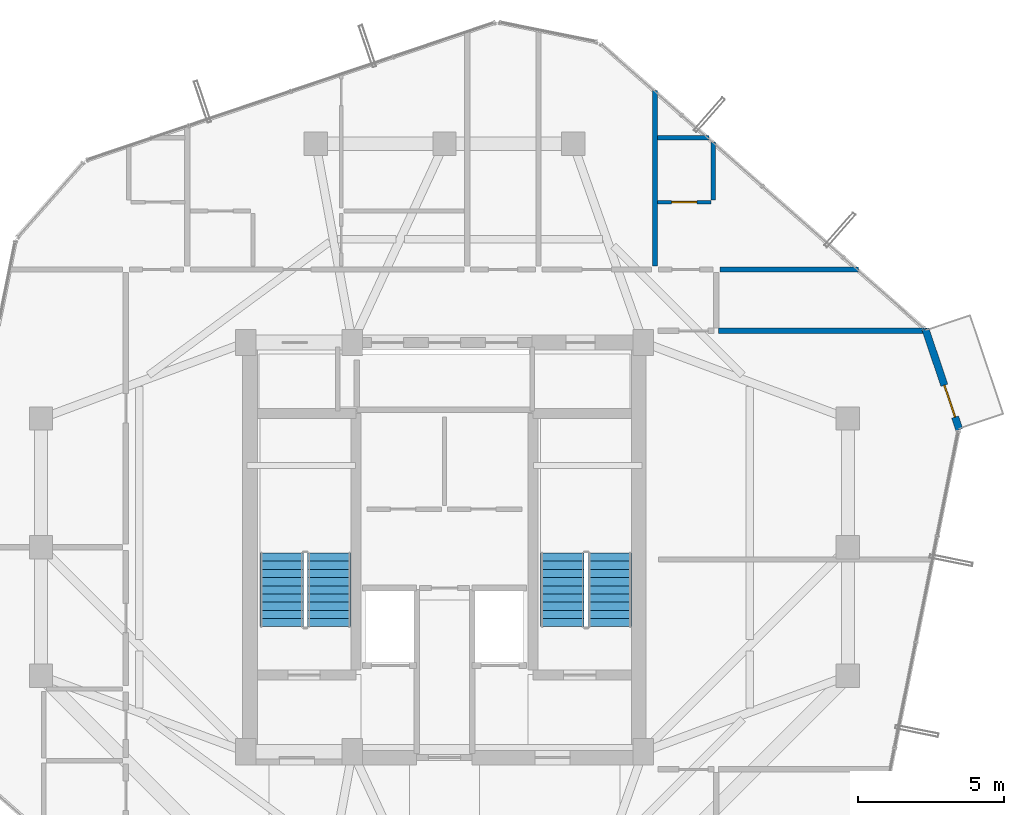
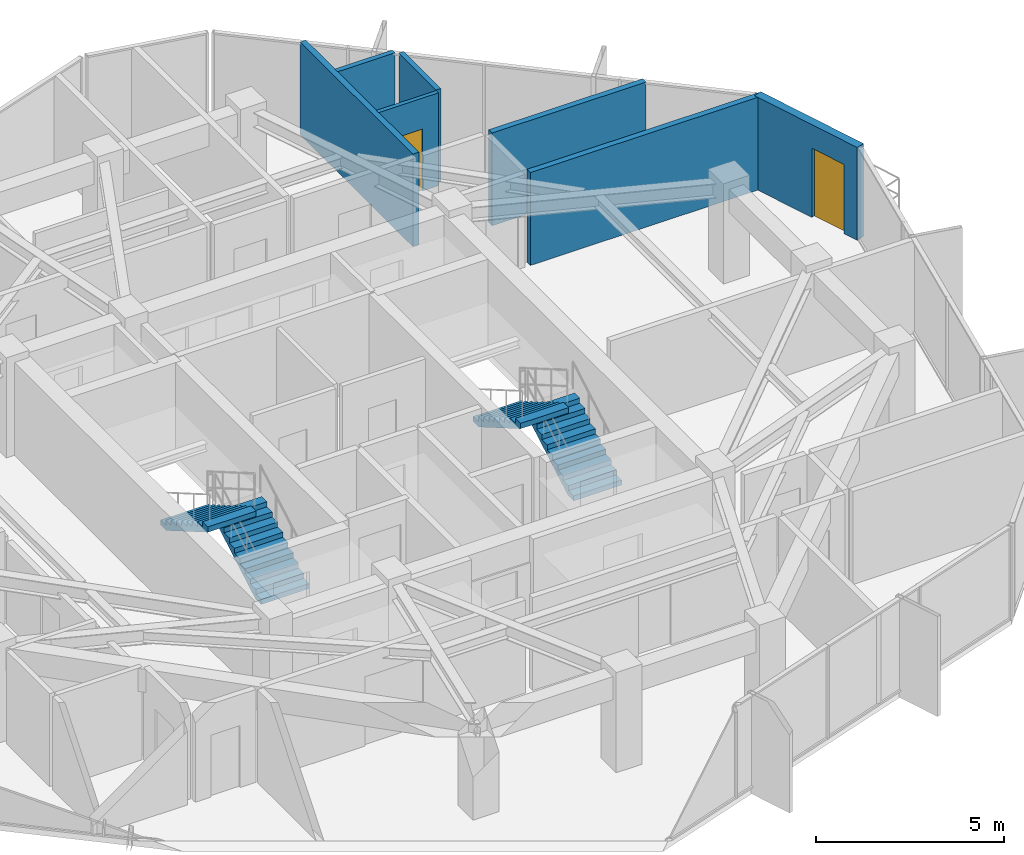
# One storey, part 26 of 28: 7 walls, 4 stair flights, 2 doors, 2 openings, 2 elements without a shape of their own.
"""IFC4 building model written with IfcOpenShell, lengths in metres."""

from ifc_helpers import new_model, si_unit, direction, frame, frame_2d, origin, place, context, subcontext, project, spatial, polyline, rectangle, outline, extrude, source, transform, mapped, material, layer, layer_set, type_object, element, fill, aggregate, save


model = new_model("IFC4")

# Units and contexts
model_context = context("Model", 3, precision=1e-05, world=origin(), true_north=direction((0.0, 1.0)))
body_context = subcontext(model_context, "Body", "Model", "MODEL_VIEW")
ifc_project = project(units=[si_unit("LENGTHUNIT", "METRE"), si_unit("AREAUNIT", "SQUARE_METRE"), si_unit("VOLUMEUNIT", "CUBIC_METRE"), si_unit("PLANEANGLEUNIT", "RADIAN"), si_unit("MASSUNIT", "GRAM", prefix="KILO")], contexts=[model_context])

# Site, building, storey
site_placement = place(None, origin())
site = spatial("IfcSite", under=ifc_project, at=site_placement, CompositionType="ELEMENT")
building_placement = place(site_placement, origin())
building = spatial("IfcBuilding", under=site, at=building_placement, Name="Veraguas Prism Commons", CompositionType="ELEMENT")
storey_placement = place(building_placement, frame((0.0, 0.0, 248.0)))
storey = spatial("IfcBuildingStorey", under=building, at=storey_placement, Name="L70", CompositionType="ELEMENT", Elevation=248.0)

# Walls
ifc_material_1 = material(Name="Autoclaved aerated masonry block 10 MPa", Category="masonry")
ifc_layer_1 = layer(ifc_material_1, 0.179931640625, Name="Corridor and Inter-Tenancy Partition 180", Category="masonry")
ifc_layer_set_1 = layer_set([ifc_layer_1], Name="Autoclaved aerated masonry block 10 MPa")
wall_type_1 = type_object("IfcWallType", Name="Corridor and Inter-Tenancy Partition 180", PredefinedType="PARTITIONING", material=ifc_layer_set_1)
wall_1_placement = place(storey_placement, frame((31.199951171875, 33.6201171875, 0.0), z_axis=(0.0, 0.0, 1.0), x_axis=(0.0, 1.0, 0.0)))
element("IfcWall", 1, at=wall_1_placement, inside=storey, type_object=wall_type_1, Name="WL-L70-PT006", PredefinedType="PARTITIONING", context=body_context, shape_type="SweptSolid", body=[
    extrude(rectangle(XDim=6.006103515625, YDim=0.179931640625, at=frame_2d((3.0029296875, 0.0))), origin(), (0.0, 0.0, 1.0), 3.014892578125),
])
wall_2_placement = place(storey_placement, frame((33.3798828125, 31.39990234375, 0.0), z_axis=(0.0, 0.0, 1.0), x_axis=(1.0, 0.0, 0.0)))
element("IfcWall", 2, at=wall_2_placement, inside=storey, type_object=wall_type_1, Name="WL-L70-PT034", PredefinedType="PARTITIONING", context=body_context, shape_type="SweptSolid", body=[
    extrude(rectangle(XDim=7.122802734375, YDim=0.179931640625, at=frame_2d((3.5615234375, 0.0))), origin(), (0.0, 0.0, 1.0), 3.014892578125),
])
wall_3_placement = place(storey_placement, frame((33.419921875, 33.5, 0.0), z_axis=(0.0, 0.0, 1.0), x_axis=(1.0, 0.0, 0.0)))
element("IfcWall", 3, at=wall_3_placement, inside=storey, type_object=wall_type_1, Name="WL-L70-PT042", PredefinedType="PARTITIONING", context=body_context, shape_type="SweptSolid", body=[
    extrude(rectangle(XDim=4.733642578125, YDim=0.179931640625, at=frame_2d((2.36669921875, 0.0))), origin(), (0.0, 0.0, 1.0), 3.014892578125),
])

# Wall, opening, door
ifc_material_2 = material(Name="Precast concrete C40/50", Category="concrete")
ifc_layer_2 = layer(ifc_material_2, 0.25, Name="External Loggia and Portal Wall 250", Category="concrete")
ifc_layer_set_2 = layer_set([ifc_layer_2], Name="Precast concrete C40/50")
wall_type_2 = type_object("IfcWallType", Name="External Loggia and Portal Wall 250", PredefinedType="SOLIDWALL", material=ifc_layer_set_2)
wall_4_placement = place(storey_placement, frame((41.6123046875, 28.01220703125, 0.0), z_axis=(0.0, 0.0, 1.0), x_axis=(-0.319242313962, 0.947673121375, 0.0)))
wall_4 = element("IfcWall", 4, at=wall_4_placement, inside=storey, type_object=wall_type_2, Name="Corner Loggia Wall L70-C1", PredefinedType="SOLIDWALL", context=body_context, shape_type="SweptSolid", body=[
    extrude(rectangle(XDim=3.642578125, YDim=0.25, at=frame_2d((1.8212890625, 0.0))), origin(), (0.0, 0.0, 1.0), 3.014892578125),
])
opening_1_placement = place(wall_4_placement, frame((0.4599609375, 0.0, 0.0)))
opening_1 = element("IfcOpeningElement", 5, at=opening_1_placement, cuts=wall_4, Name="Opening DR-10", PredefinedType="OPENING", context=body_context, shape_type="SweptSolid", body=[
    extrude(rectangle(XDim=1.14990234375, YDim=2.25, at=frame_2d((0.574951171875, 1.125))), frame((0.0, 0.135009765625, 0.0), z_axis=(0.0, -1.0, 0.0), x_axis=(1.0, 0.0, 0.0)), (0.0, 0.0, 1.0), 0.27001953125),
])
ifc_material_3 = material(Name="Anodised aluminium EN AW-6063 T6", Category="aluminium")
door_type_1 = type_object("IfcDoorType", Name="Glazed Loggia and Terrace Door 1150x2250", OperationType="NOTDEFINED", PredefinedType="DOOR", material=ifc_material_3)
shared_shape_1 = source(origin(), body_context, "Body", "SweptSolid", [
    extrude(rectangle(XDim=1.14990234375, YDim=2.25, at=frame_2d((0.574951171875, 1.125))), frame((0.0, 0.02490234375, 0.0), z_axis=(0.0, -1.0, 0.0), x_axis=(1.0, 0.0, 0.0)), (0.0, 0.0, 1.0), 0.050048828125),
])
door_1_placement = place(opening_1_placement, frame((1.14990234375, 0.0, 0.0), z_axis=(0.0, 0.0, 1.0), x_axis=(-1.0, 0.0, 0.0)))
door_1 = element("IfcDoor", 6, at=door_1_placement, inside=storey, type_object=door_type_1, Name="Recessed Loggia Door L70-C1", OperationType="SINGLE_SWING_RIGHT", OverallHeight=2.25, OverallWidth=1.14990234375, PredefinedType="DOOR", context=body_context, shape_type="MappedRepresentation", body=[
    mapped(shared_shape_1, transform((0.0, 0.0, 0.0), scale=1.0)),
])
fill(opening_1, door_1)

ifc_material_4 = material(Name="Lightweight acoustic gypsum board")
ifc_layer_3 = layer(ifc_material_4, 0.125, Name="Internal Apartment Room Partition 125")
ifc_layer_set_3 = layer_set([ifc_layer_3], Name="Lightweight acoustic gypsum board")
wall_type_3 = type_object("IfcWallType", Name="Internal Apartment Room Partition 125", PredefinedType="PARTITIONING", material=ifc_layer_set_3)
wall_5_placement = place(storey_placement, frame((31.280029296875, 35.800048828125, 0.0), z_axis=(0.0, 0.0, 1.0), x_axis=(1.0, 0.0, 0.0)))
wall_5 = element("IfcWall", 7, at=wall_5_placement, inside=storey, type_object=wall_type_3, Name="WL-L70-PT044", PredefinedType="PARTITIONING", context=body_context, shape_type="SweptSolid", body=[
    extrude(rectangle(XDim=1.840087890625, YDim=0.125, at=frame_2d((0.919921875, 0.0))), origin(), (0.0, 0.0, 1.0), 3.014892578125),
])
opening_2_placement = place(wall_5_placement, frame((0.489990234375, 0.0, 0.0)))
opening_2 = element("IfcOpeningElement", 8, at=opening_2_placement, cuts=wall_5, Name="Opening DR-03", PredefinedType="OPENING", context=body_context, shape_type="SweptSolid", body=[
    extrude(rectangle(XDim=0.860107421875, YDim=2.010009765625, at=frame_2d((0.43017578125, 1.0048828125))), frame((0.0, 0.072509765625, 0.0), z_axis=(0.0, -1.0, 0.0), x_axis=(1.0, 0.0, 0.0)), (0.0, 0.0, 1.0), 0.14501953125),
])
ifc_material_5 = material(Name="Timber moisture-resistant leaf", Category="wood")
door_type_2 = type_object("IfcDoorType", Name="Internal Bathroom Door 860x2010", OperationType="NOTDEFINED", PredefinedType="DOOR", material=ifc_material_5)
shared_shape_2 = source(origin(), body_context, "Body", "SweptSolid", [
    extrude(rectangle(XDim=0.860107421875, YDim=2.010009765625, at=frame_2d((0.43017578125, 1.0048828125))), frame((0.0, 0.02490234375, 0.0), z_axis=(0.0, -1.0, 0.0), x_axis=(1.0, 0.0, 0.0)), (0.0, 0.0, 1.0), 0.050048828125),
])
door_2_placement = place(opening_2_placement, origin())
door_2 = element("IfcDoor", 9, at=door_2_placement, inside=storey, type_object=door_type_2, Name="Studio 70C Bathroom Door", OperationType="SINGLE_SWING_RIGHT", OverallHeight=2.010009765625, OverallWidth=0.860107421875, PredefinedType="DOOR", context=body_context, shape_type="MappedRepresentation", body=[
    mapped(shared_shape_2, transform((0.0, 0.0, 0.0), scale=1.0)),
])
fill(opening_2, door_2)

# Walls
ifc_layer_4 = layer(ifc_material_4, 0.14990234375, Name="Wet Room and Clinic Acoustic Partition 150")
ifc_layer_set_4 = layer_set([ifc_layer_4], Name="Lightweight acoustic gypsum board")
wall_type_4 = type_object("IfcWallType", Name="Wet Room and Clinic Acoustic Partition 150", PredefinedType="PARTITIONING", material=ifc_layer_set_4)
wall_6_placement = place(storey_placement, frame((31.280029296875, 38.0, 0.0), z_axis=(0.0, 0.0, 1.0), x_axis=(1.0, 0.0, 0.0)))
element("IfcWall", 10, at=wall_6_placement, inside=storey, type_object=wall_type_4, Name="WL-L70-PT045", PredefinedType="PARTITIONING", context=body_context, shape_type="SweptSolid", body=[
    extrude(rectangle(XDim=1.765869140625, YDim=0.14990234375, at=frame_2d((0.8828125, 0.0))), origin(), (0.0, 0.0, 1.0), 3.014892578125),
])
wall_7_placement = place(storey_placement, frame((33.199951171875, 35.8798828125, 0.0), z_axis=(0.0, 0.0, 1.0), x_axis=(0.0, 1.0, 0.0)))
element("IfcWall", 11, at=wall_7_placement, inside=storey, type_object=wall_type_4, Name="WL-L70-PT046", PredefinedType="PARTITIONING", context=body_context, shape_type="SweptSolid", body=[
    extrude(rectangle(XDim=1.984130859375, YDim=0.14990234375, at=frame_2d((0.9921875, 0.0))), origin(), (0.0, 0.0, 1.0), 3.014892578125),
])

# Stair, stair flights
ifc_material_6 = material(Name="Precast concrete C45/55", Category="concrete")
stair_type = type_object("IfcStairType", Name="Dogleg Core Stair 1480W 20R 05", PredefinedType="HALF_TURN_STAIR", material=ifc_material_6)
stair_1_placement = place(storey_placement, origin())
stair_1 = element("IfcStair", 12, at=stair_1_placement, inside=storey, type_object=stair_type, Name="Protected Exit Stair ST-01 L70", PredefinedType="HALF_TURN_STAIR")
stair_flight_type = type_object("IfcStairFlightType", Name="Precast Stair Flight 1480W 10R 05", PredefinedType="STRAIGHT", material=ifc_material_6)
stair_flight_1_placement = place(storey_placement, frame((20.06005859375, 21.280029296875, 0.0), z_axis=(0.0, 0.0, 1.0), x_axis=(0.0, 1.0, 0.0)))
stair_flight_1 = element("IfcStairFlight", 13, at=stair_flight_1_placement, type_object=stair_flight_type, Name="ST-05 Flight 1", NumberOfRisers=10, NumberOfTreads=9, PredefinedType="STRAIGHT", RiserHeight=0.1625, TreadLength=0.28, context=body_context, shape_type="SweptSolid", body=[
    extrude(outline(polyline([(0.0, 0.0), (0.0, 0.16259765625), (0.280029296875, 0.16259765625), (0.280029296875, 0.324951171875), (0.56005859375, 0.324951171875), (0.56005859375, 0.487548828125), (0.840087890625, 0.487548828125), (0.840087890625, 0.64990234375), (1.1201171875, 0.64990234375), (1.1201171875, 0.8125), (1.39990234375, 0.8125), (1.39990234375, 0.97509765625), (1.679931640625, 0.97509765625), (1.679931640625, 1.137451171875), (1.9599609375, 1.137451171875), (1.9599609375, 1.300048828125), (2.239990234375, 1.300048828125), (2.239990234375, 1.46240234375), (2.52001953125, 1.46240234375), (2.52001953125, 1.625), (2.52001953125, 1.2890625), (0.298583984375, 0.0), (0.0, 0.0)])), frame((0.0, 0.739990234375, 0.0), z_axis=(0.0, -1.0, 0.0), x_axis=(1.0, 0.0, 0.0)), (0.0, 0.0, 1.0), 1.47998046875),
])
stair_flight_2_placement = place(storey_placement, frame((18.429931640625, 23.800048828125, 1.625), z_axis=(0.0, 0.0, 1.0), x_axis=(0.0, -1.0, 0.0)))
stair_flight_2 = element("IfcStairFlight", 14, at=stair_flight_2_placement, type_object=stair_flight_type, Name="ST-05 Flight 2", NumberOfRisers=10, NumberOfTreads=9, PredefinedType="STRAIGHT", RiserHeight=0.1625, TreadLength=0.28, context=body_context, shape_type="SweptSolid", body=[
    extrude(outline(polyline([(0.0, 0.0), (0.0, 0.16259765625), (0.280029296875, 0.16259765625), (0.280029296875, 0.324951171875), (0.56005859375, 0.324951171875), (0.56005859375, 0.487548828125), (0.840087890625, 0.487548828125), (0.840087890625, 0.64990234375), (1.1201171875, 0.64990234375), (1.1201171875, 0.8125), (1.39990234375, 0.8125), (1.39990234375, 0.97509765625), (1.679931640625, 0.97509765625), (1.679931640625, 1.137451171875), (1.9599609375, 1.137451171875), (1.9599609375, 1.300048828125), (2.239990234375, 1.300048828125), (2.239990234375, 1.46240234375), (2.52001953125, 1.46240234375), (2.52001953125, 1.625), (2.52001953125, 1.2890625), (0.298583984375, 0.0), (0.0, 0.0)])), frame((0.0, 0.739990234375, 0.0), z_axis=(0.0, -1.0, 0.0), x_axis=(1.0, 0.0, 0.0)), (0.0, 0.0, 1.0), 1.47998046875),
])
aggregate(stair_1, [stair_flight_1, stair_flight_2])

stair_2_placement = place(storey_placement, origin())
stair_2 = element("IfcStair", 15, at=stair_2_placement, inside=storey, type_object=stair_type, Name="Protected Exit Stair ST-02 L70", PredefinedType="HALF_TURN_STAIR")
stair_flight_3_placement = place(storey_placement, frame((29.659912109375, 21.280029296875, 0.0), z_axis=(0.0, 0.0, 1.0), x_axis=(0.0, 1.0, 0.0)))
stair_flight_3 = element("IfcStairFlight", 16, at=stair_flight_3_placement, type_object=stair_flight_type, Name="ST-05 Flight 1", NumberOfRisers=10, NumberOfTreads=9, PredefinedType="STRAIGHT", RiserHeight=0.1625, TreadLength=0.28, context=body_context, shape_type="SweptSolid", body=[
    extrude(outline(polyline([(0.0, 0.0), (0.0, 0.16259765625), (0.280029296875, 0.16259765625), (0.280029296875, 0.324951171875), (0.56005859375, 0.324951171875), (0.56005859375, 0.487548828125), (0.840087890625, 0.487548828125), (0.840087890625, 0.64990234375), (1.1201171875, 0.64990234375), (1.1201171875, 0.8125), (1.39990234375, 0.8125), (1.39990234375, 0.97509765625), (1.679931640625, 0.97509765625), (1.679931640625, 1.137451171875), (1.9599609375, 1.137451171875), (1.9599609375, 1.300048828125), (2.239990234375, 1.300048828125), (2.239990234375, 1.46240234375), (2.52001953125, 1.46240234375), (2.52001953125, 1.625), (2.52001953125, 1.2890625), (0.298583984375, 0.0), (0.0, 0.0)])), frame((0.0, 0.739990234375, 0.0), z_axis=(0.0, -1.0, 0.0), x_axis=(1.0, 0.0, 0.0)), (0.0, 0.0, 1.0), 1.47998046875),
])
stair_flight_4_placement = place(storey_placement, frame((28.030029296875, 23.800048828125, 1.625), z_axis=(0.0, 0.0, 1.0), x_axis=(0.0, -1.0, 0.0)))
stair_flight_4 = element("IfcStairFlight", 17, at=stair_flight_4_placement, type_object=stair_flight_type, Name="ST-05 Flight 2", NumberOfRisers=10, NumberOfTreads=9, PredefinedType="STRAIGHT", RiserHeight=0.1625, TreadLength=0.28, context=body_context, shape_type="SweptSolid", body=[
    extrude(outline(polyline([(0.0, 0.0), (0.0, 0.16259765625), (0.280029296875, 0.16259765625), (0.280029296875, 0.324951171875), (0.56005859375, 0.324951171875), (0.56005859375, 0.487548828125), (0.840087890625, 0.487548828125), (0.840087890625, 0.64990234375), (1.1201171875, 0.64990234375), (1.1201171875, 0.8125), (1.39990234375, 0.8125), (1.39990234375, 0.97509765625), (1.679931640625, 0.97509765625), (1.679931640625, 1.137451171875), (1.9599609375, 1.137451171875), (1.9599609375, 1.300048828125), (2.239990234375, 1.300048828125), (2.239990234375, 1.46240234375), (2.52001953125, 1.46240234375), (2.52001953125, 1.625), (2.52001953125, 1.2890625), (0.298583984375, 0.0), (0.0, 0.0)])), frame((0.0, 0.739990234375, 0.0), z_axis=(0.0, -1.0, 0.0), x_axis=(1.0, 0.0, 0.0)), (0.0, 0.0, 1.0), 1.47998046875),
])
aggregate(stair_2, [stair_flight_3, stair_flight_4])

save(model, "model.ifc")
